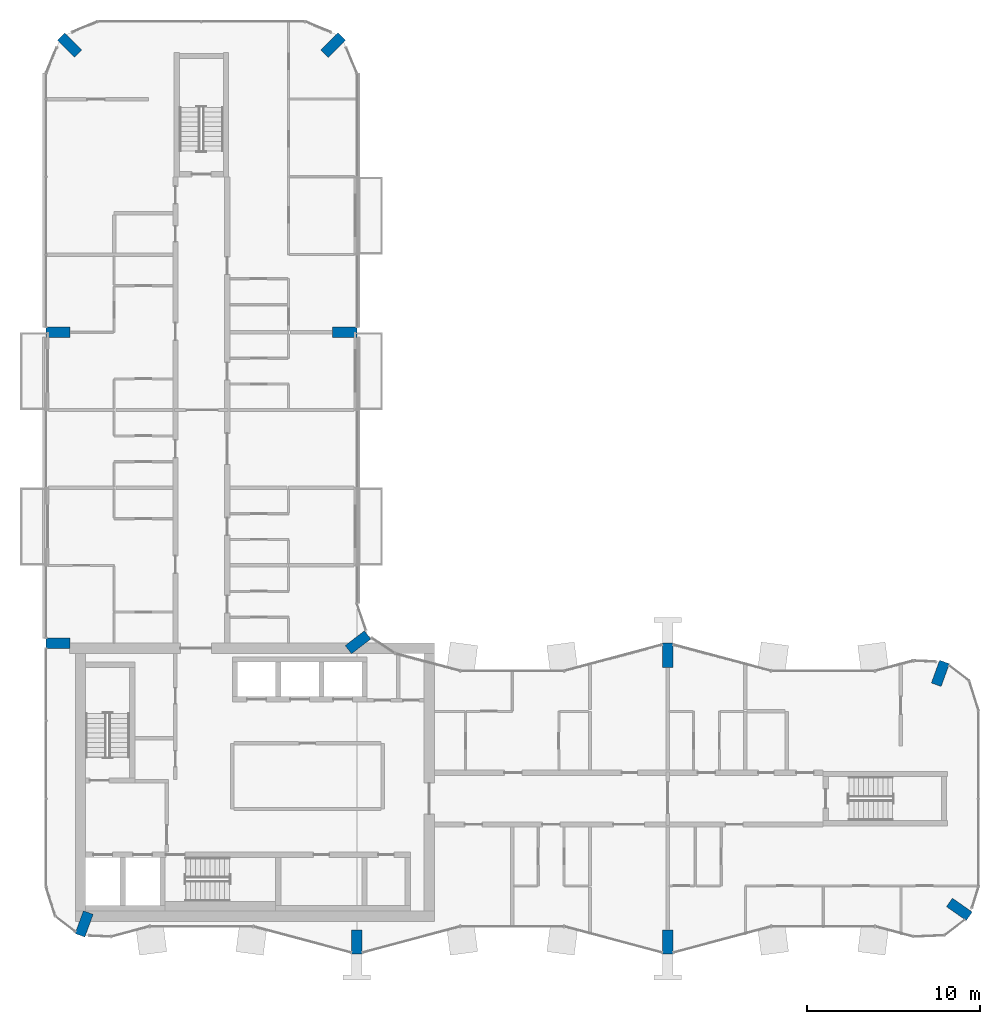
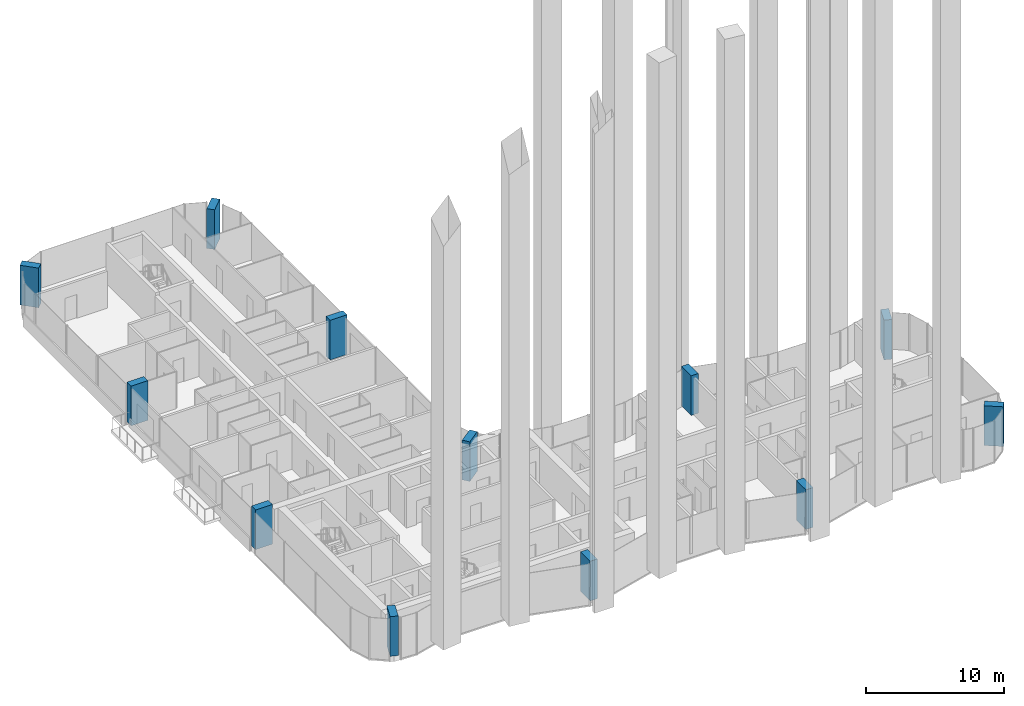
# One storey, part 1 of 18: 12 columns.
"""IFC4 building model written with IfcOpenShell, lengths in metres."""

from ifc_helpers import new_model, si_unit, direction, frame, origin, origin_2d, place, context, subcontext, project, spatial, rectangle, extrude, material, material_profile, profile_set, type_object, element, save


model = new_model("IFC4")

# Units and contexts
model_context = context("Model", 3, precision=1e-05, world=origin(), true_north=direction((0.0, 1.0)))
body_context = subcontext(model_context, "Body", "Model", "MODEL_VIEW")
ifc_project = project(units=[si_unit("LENGTHUNIT", "METRE"), si_unit("AREAUNIT", "SQUARE_METRE"), si_unit("VOLUMEUNIT", "CUBIC_METRE"), si_unit("PLANEANGLEUNIT", "RADIAN"), si_unit("MASSUNIT", "GRAM", prefix="KILO")], contexts=[model_context])

# Site, building, storey
site_placement = place(None, origin())
site = spatial("IfcSite", under=ifc_project, at=site_placement, CompositionType="ELEMENT")
building_placement = place(site_placement, origin())
building = spatial("IfcBuilding", under=site, at=building_placement, Name="Plateau Cross Towers", CompositionType="ELEMENT")
storey_placement = place(building_placement, frame((0.0, 0.0, 139.39990234375)))
storey = spatial("IfcBuildingStorey", under=building, at=storey_placement, Name="L35", CompositionType="ELEMENT", Elevation=139.39990234375)

# Columns
ifc_material = material(Name="Concrete C60/75", Category="concrete")
ifc_material_profile = material_profile(ifc_material, rectangle(XDim=0.60009765625, YDim=1.39990234375, at=origin_2d()), Name="RC 600x1400")
ifc_profile_set = profile_set([ifc_material_profile], Name="Concrete C60/75")
column_type = type_object("IfcColumnType", Name="Fin pier column RC 600x1400", PredefinedType="COLUMN", material=ifc_profile_set)
for number, where, z_axis, x_axis, name in (
    (1, (18.0, 0.699951171875, 0.0), (0.0, 0.0, 1.0), (1.0, 0.0, 0.0), "PR1 L35"),
    (2, (36.0, 0.699951171875, 0.0), (0.0, 0.0, 1.0), (1.0, 0.0, 0.0), "PR2 L35"),
    (3, (52.884033203125, 2.590087890625, 0.0), (0.0, 0.0, 1.0), (0.573542637991, 0.819175709117, 0.0), "PR3 L35"),
    (4, (51.786865234375, 16.251953125, 0.0), (0.0, 0.0, 1.0), (-0.939664280925, 0.342097996418, 0.0), "PR4 L35"),
    (5, (36.0, 17.300048828125, 0.0), (0.0, 0.0, 1.0), (1.0, 0.0, 0.0), "PR5 L35"),
    (6, (18.064697265625, 18.049560546875, 0.0), (0.0, 0.0, 1.0), (-0.608810846443, 0.793315418515, 0.0), "PR6 L35"),
    (7, (17.300048828125, 36.0, 0.0), (0.0, 0.0, 1.0), (0.0, 1.0, 0.0), "PR7 L35"),
    (8, (16.62646484375, 52.62646484375, 0.0), (0.0, 0.0, 1.0), (-0.707106781187, 0.707106781187, 0.0), "PR8 L35"),
    (9, (1.37353515625, 52.62646484375, 0.0), (0.0, 0.0, 1.0), (0.707106781187, 0.707106781187, 0.0), "PR9 L35"),
    (10, (0.699951171875, 36.0, 0.0), (0.0, 0.0, 1.0), (0.0, 1.0, 0.0), "PR10 L35"),
    (11, (0.699951171875, 18.0, 0.0), (0.0, 0.0, 1.0), (0.0, 1.0, 0.0), "PR11 L35"),
    (12, (2.213134765625, 1.748046875, 0.0), (0.0, 0.0, 1.0), (-0.939664280925, 0.342097996418, 0.0), "PR12 L35"),
):
    element("IfcColumn", number, at=place(storey_placement, frame(where, z_axis=z_axis, x_axis=x_axis)), inside=storey, type_object=column_type, Name=name, PredefinedType="COLUMN", context=body_context, shape_type="SweptSolid", body=[
        extrude(rectangle(XDim=0.60009765625, YDim=1.39990234375, at=origin_2d()), origin(), (0.0, 0.0, 1.0), 3.5),
    ])

save(model, "model.ifc")
